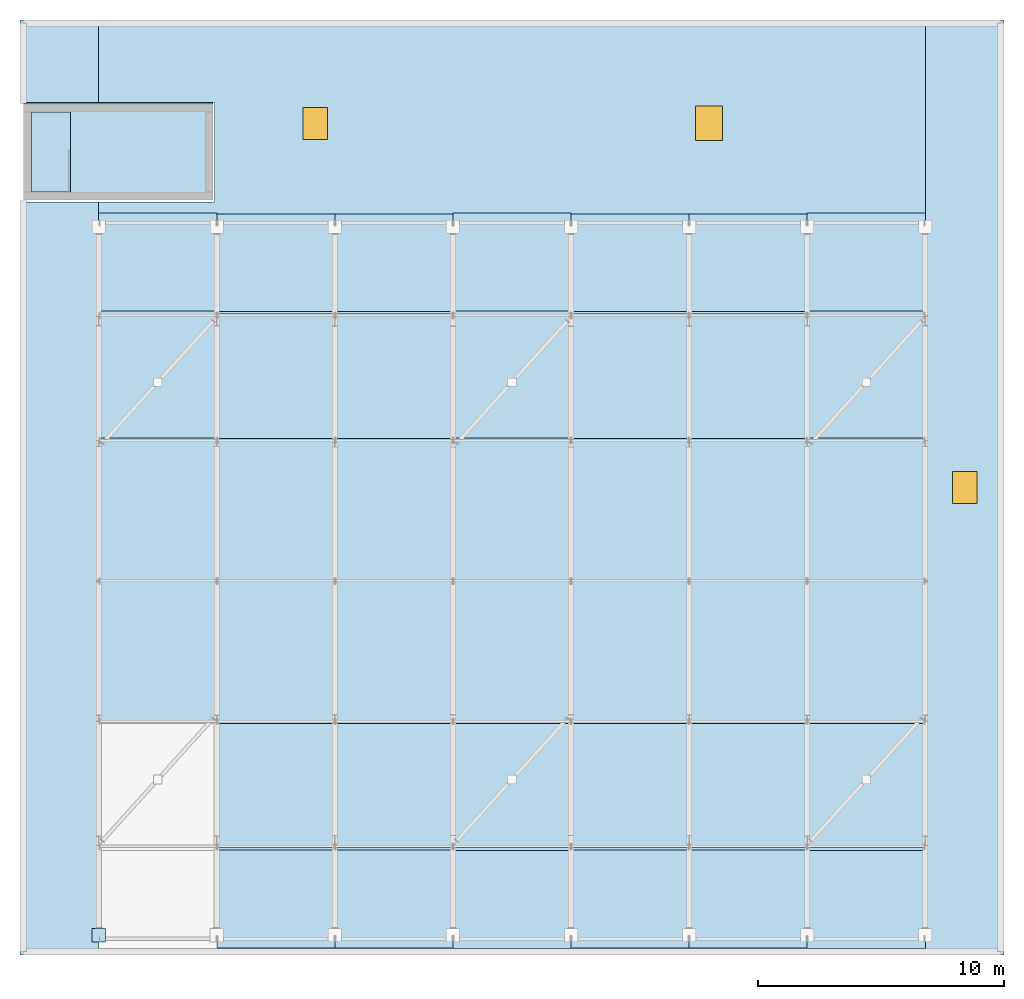
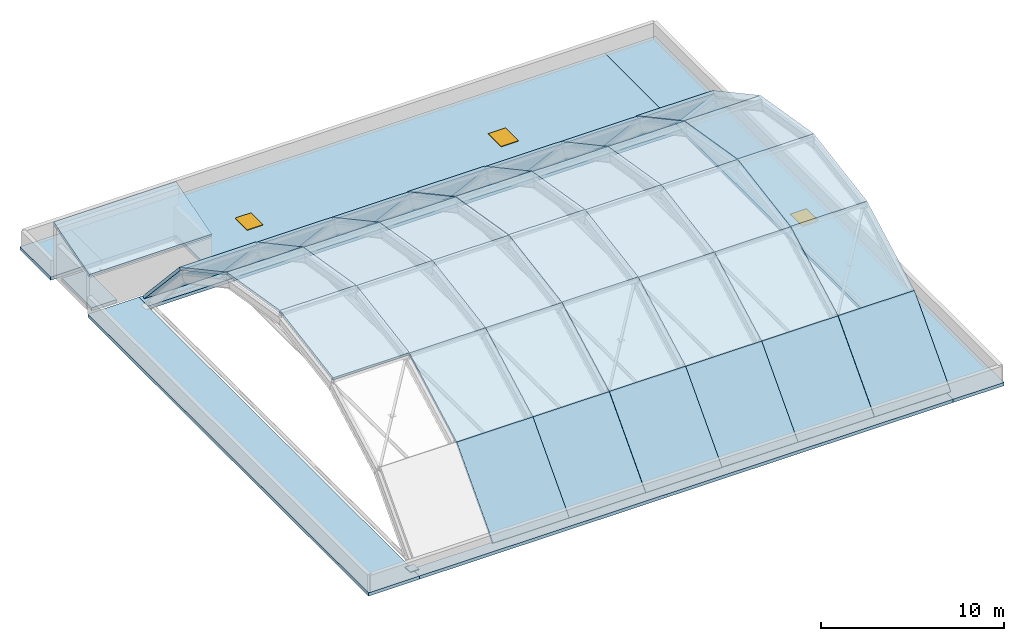
# One storey, part 2 of 10: 47 slabs, 3 doors, 1 plate, 3 openings, 1 element without a shape of its own.
"""IFC4 building model written with IfcOpenShell, lengths in metres."""

from ifc_helpers import new_model, si_unit, direction, frame, origin, origin_2d, place, context, subcontext, project, spatial, polyline, rectangle, outline, extrude, material, layer, layer_set, type_object, element, fill, aggregate, save


model = new_model("IFC4")

# Units and contexts
model_context = context("Model", 3, precision=1e-05, world=origin(), true_north=direction((0.0, 1.0)))
body_context = subcontext(model_context, "Body", "Model", "MODEL_VIEW")
ifc_project = project(units=[si_unit("LENGTHUNIT", "METRE"), si_unit("AREAUNIT", "SQUARE_METRE"), si_unit("VOLUMEUNIT", "CUBIC_METRE"), si_unit("PLANEANGLEUNIT", "RADIAN"), si_unit("MASSUNIT", "GRAM", prefix="KILO")], contexts=[model_context])

# Site, building, storey
site_placement = place(None, origin())
site = spatial("IfcSite", under=ifc_project, at=site_placement, CompositionType="ELEMENT")
building_placement = place(site_placement, origin())
building = spatial("IfcBuilding", under=site, at=building_placement, Name="Zantavel Square City Hall", CompositionType="ELEMENT")
storey_placement = place(building_placement, frame((0.0, 0.0, 28.5)))
storey = spatial("IfcBuildingStorey", under=building, at=storey_placement, Name="RF", CompositionType="ELEMENT", Elevation=28.5)

# Roof, slabs
ifc_material_1 = material(Name="Steel ASTM A992 Grade 50", Category="steel")
roof_type = type_object("IfcRoofType", Name="Council Barrel Vault Steel Roof Assembly", PredefinedType="BARREL_ROOF", material=ifc_material_1)
roof_placement = place(storey_placement, origin())
roof = element("IfcRoof", 1, at=roof_placement, inside=storey, type_object=roof_type, Name="Council Chamber Exposed Steel Barrel-Vault Roof", PredefinedType="BARREL_ROOF")
ifc_material_2 = material(Name="Tempered safety glass low-E double glazing", Category="glass")
ifc_layer_1 = layer(ifc_material_2, 0.14990234375, Name="Tempered safety glass low-E double glazing")
ifc_layer_set_1 = layer_set([ifc_layer_1], Name="Tempered safety glass low-E double glazing")
slab_type_1 = type_object("IfcSlabType", Name="Barrel Vault Glazed Roof Facet 150mm", PredefinedType="ROOF", material=ifc_layer_set_1)
slab_1_placement = place(storey_placement, frame((72.0, 30.67724609375, 0.3408203125), z_axis=(0.0, -0.736160597855, 0.676806895773), x_axis=(1.0, 0.0, 0.0)))
slab_1 = element("IfcSlab", 2, at=slab_1_placement, type_object=slab_type_1, Name="Barrel Vault Bay 2 Roof Facet 1", PredefinedType="ROOF", context=body_context, shape_type="SweptSolid", body=[
    extrude(outline(polyline([(0.0, 0.0), (4.800048828125, 0.0), (4.800048828125, 5.86970415758118), (0.0, 5.86970415758118), (0.0, 0.0)])), origin(), (0.0, 0.0, -1.0), 0.14990234375),
])
slab_2_placement = place(storey_placement, frame((72.0, 34.64990234375, 4.661865234375), z_axis=(0.0, -0.476273768485, 0.879297047336), x_axis=(1.0, 0.0, 0.0)))
slab_2 = element("IfcSlab", 3, at=slab_2_placement, type_object=slab_type_1, Name="Barrel Vault Bay 2 Roof Facet 2", PredefinedType="ROOF", context=body_context, shape_type="SweptSolid", body=[
    extrude(outline(polyline([(0.0, 0.0), (4.800048828125, 0.0), (4.800048828125, 5.869334700385841), (0.0, 5.869334700385841), (0.0, 0.0)])), origin(), (0.0, 0.0, -1.0), 0.14990234375),
])
slab_3_placement = place(storey_placement, frame((72.0, 39.810791015625, 7.457275390625), z_axis=(0.0, -0.164715999781, 0.98634103606), x_axis=(1.0, 0.0, 0.0)))
slab_3 = element("IfcSlab", 4, at=slab_3_placement, type_object=slab_type_1, Name="Barrel Vault Bay 2 Roof Facet 3", PredefinedType="ROOF", context=body_context, shape_type="SweptSolid", body=[
    extrude(outline(polyline([(0.0, 0.0), (4.800048828125, 0.0), (4.800048828125, 5.869477623834552), (0.0, 5.869477623834552), (0.0, 0.0)])), origin(), (0.0, 0.0, -1.0), 0.14990234375),
])
slab_4_placement = place(storey_placement, frame((72.0, 45.60009765625, 8.424072265625), z_axis=(0.0, 0.164715999781, 0.98634103606), x_axis=(1.0, 0.0, 0.0)))
slab_4 = element("IfcSlab", 5, at=slab_4_placement, type_object=slab_type_1, Name="Barrel Vault Bay 2 Roof Facet 4", PredefinedType="ROOF", context=body_context, shape_type="SweptSolid", body=[
    extrude(outline(polyline([(0.0, 0.0), (4.800048828125, 0.0), (4.800048828125, 5.869477623834552), (0.0, 5.869477623834552), (0.0, 0.0)])), origin(), (0.0, 0.0, -1.0), 0.14990234375),
])
slab_5_placement = place(storey_placement, frame((72.0, 51.389404296875, 7.457275390625), z_axis=(0.0, 0.476273768485, 0.879297047336), x_axis=(1.0, 0.0, 0.0)))
slab_5 = element("IfcSlab", 6, at=slab_5_placement, type_object=slab_type_1, Name="Barrel Vault Bay 2 Roof Facet 5", PredefinedType="ROOF", context=body_context, shape_type="SweptSolid", body=[
    extrude(outline(polyline([(0.0, 0.0), (4.800048828125, 0.0), (4.800048828125, 5.869334700385841), (0.0, 5.869334700385841), (0.0, 0.0)])), origin(), (0.0, 0.0, -1.0), 0.14990234375),
])
slab_6_placement = place(storey_placement, frame((72.0, 56.55029296875, 4.661865234375), z_axis=(0.0, 0.736181321501, 0.67678435404), x_axis=(1.0, 0.0, 0.0)))
slab_6 = element("IfcSlab", 7, at=slab_6_placement, type_object=slab_type_1, Name="Barrel Vault Bay 2 Roof Facet 6", PredefinedType="ROOF", context=body_context, shape_type="SweptSolid", body=[
    extrude(outline(polyline([(0.0, 0.0), (4.800048828125, 0.0), (4.800048828125, 5.869538924274279), (0.0, 5.869538924274279), (0.0, 0.0)])), origin(), (0.0, 0.0, -1.0), 0.14990234375),
])
slab_7_placement = place(storey_placement, frame((76.800048828125, 30.67724609375, 0.3408203125), z_axis=(0.0, -0.736160597855, 0.676806895773), x_axis=(1.0, 0.0, 0.0)))
slab_7 = element("IfcSlab", 8, at=slab_7_placement, type_object=slab_type_1, Name="Barrel Vault Bay 3 Roof Facet 1", PredefinedType="ROOF", context=body_context, shape_type="SweptSolid", body=[
    extrude(outline(polyline([(0.0, 0.0), (4.800048828125, 0.0), (4.800048828125, 5.86970415758118), (0.0, 5.86970415758118), (0.0, 0.0)])), origin(), (0.0, 0.0, -1.0), 0.14990234375),
])
slab_8_placement = place(storey_placement, frame((76.800048828125, 34.64990234375, 4.661865234375), z_axis=(0.0, -0.476273768485, 0.879297047336), x_axis=(1.0, 0.0, 0.0)))
slab_8 = element("IfcSlab", 9, at=slab_8_placement, type_object=slab_type_1, Name="Barrel Vault Bay 3 Roof Facet 2", PredefinedType="ROOF", context=body_context, shape_type="SweptSolid", body=[
    extrude(outline(polyline([(0.0, 0.0), (4.800048828125, 0.0), (4.800048828125, 5.869334700385841), (0.0, 5.869334700385841), (0.0, 0.0)])), origin(), (0.0, 0.0, -1.0), 0.14990234375),
])
slab_9_placement = place(storey_placement, frame((76.800048828125, 39.810791015625, 7.457275390625), z_axis=(0.0, -0.164715999781, 0.98634103606), x_axis=(1.0, 0.0, 0.0)))
slab_9 = element("IfcSlab", 10, at=slab_9_placement, type_object=slab_type_1, Name="Barrel Vault Bay 3 Roof Facet 3", PredefinedType="ROOF", context=body_context, shape_type="SweptSolid", body=[
    extrude(outline(polyline([(0.0, 0.0), (4.800048828125, 0.0), (4.800048828125, 5.869477623834552), (0.0, 5.869477623834552), (0.0, 0.0)])), origin(), (0.0, 0.0, -1.0), 0.14990234375),
])
slab_10_placement = place(storey_placement, frame((76.800048828125, 45.60009765625, 8.424072265625), z_axis=(0.0, 0.164715999781, 0.98634103606), x_axis=(1.0, 0.0, 0.0)))
slab_10 = element("IfcSlab", 11, at=slab_10_placement, type_object=slab_type_1, Name="Barrel Vault Bay 3 Roof Facet 4", PredefinedType="ROOF", context=body_context, shape_type="SweptSolid", body=[
    extrude(outline(polyline([(0.0, 0.0), (4.800048828125, 0.0), (4.800048828125, 5.869477623834552), (0.0, 5.869477623834552), (0.0, 0.0)])), origin(), (0.0, 0.0, -1.0), 0.14990234375),
])
slab_11_placement = place(storey_placement, frame((76.800048828125, 51.389404296875, 7.457275390625), z_axis=(0.0, 0.476273768485, 0.879297047336), x_axis=(1.0, 0.0, 0.0)))
slab_11 = element("IfcSlab", 12, at=slab_11_placement, type_object=slab_type_1, Name="Barrel Vault Bay 3 Roof Facet 5", PredefinedType="ROOF", context=body_context, shape_type="SweptSolid", body=[
    extrude(outline(polyline([(0.0, 0.0), (4.800048828125, 0.0), (4.800048828125, 5.869334700385841), (0.0, 5.869334700385841), (0.0, 0.0)])), origin(), (0.0, 0.0, -1.0), 0.14990234375),
])
slab_12_placement = place(storey_placement, frame((76.800048828125, 56.55029296875, 4.661865234375), z_axis=(0.0, 0.736181321501, 0.67678435404), x_axis=(1.0, 0.0, 0.0)))
slab_12 = element("IfcSlab", 13, at=slab_12_placement, type_object=slab_type_1, Name="Barrel Vault Bay 3 Roof Facet 6", PredefinedType="ROOF", context=body_context, shape_type="SweptSolid", body=[
    extrude(outline(polyline([(0.0, 0.0), (4.800048828125, 0.0), (4.800048828125, 5.869538924274279), (0.0, 5.869538924274279), (0.0, 0.0)])), origin(), (0.0, 0.0, -1.0), 0.14990234375),
])
slab_13_placement = place(storey_placement, frame((86.39990234375, 30.67724609375, 0.3408203125), z_axis=(0.0, -0.736160597855, 0.676806895773), x_axis=(1.0, 0.0, 0.0)))
slab_13 = element("IfcSlab", 14, at=slab_13_placement, type_object=slab_type_1, Name="Barrel Vault Bay 5 Roof Facet 1", PredefinedType="ROOF", context=body_context, shape_type="SweptSolid", body=[
    extrude(outline(polyline([(0.0, 0.0), (4.800048828125, 0.0), (4.800048828125, 5.86970415758118), (0.0, 5.86970415758118), (0.0, 0.0)])), origin(), (0.0, 0.0, -1.0), 0.14990234375),
])
slab_14_placement = place(storey_placement, frame((86.39990234375, 34.64990234375, 4.661865234375), z_axis=(0.0, -0.476273768485, 0.879297047336), x_axis=(1.0, 0.0, 0.0)))
slab_14 = element("IfcSlab", 15, at=slab_14_placement, type_object=slab_type_1, Name="Barrel Vault Bay 5 Roof Facet 2", PredefinedType="ROOF", context=body_context, shape_type="SweptSolid", body=[
    extrude(outline(polyline([(0.0, 0.0), (4.800048828125, 0.0), (4.800048828125, 5.869334700385841), (0.0, 5.869334700385841), (0.0, 0.0)])), origin(), (0.0, 0.0, -1.0), 0.14990234375),
])
slab_15_placement = place(storey_placement, frame((86.39990234375, 39.810791015625, 7.457275390625), z_axis=(0.0, -0.164715999781, 0.98634103606), x_axis=(1.0, 0.0, 0.0)))
slab_15 = element("IfcSlab", 16, at=slab_15_placement, type_object=slab_type_1, Name="Barrel Vault Bay 5 Roof Facet 3", PredefinedType="ROOF", context=body_context, shape_type="SweptSolid", body=[
    extrude(outline(polyline([(0.0, 0.0), (4.800048828125, 0.0), (4.800048828125, 5.869477623834552), (0.0, 5.869477623834552), (0.0, 0.0)])), origin(), (0.0, 0.0, -1.0), 0.14990234375),
])
slab_16_placement = place(storey_placement, frame((86.39990234375, 45.60009765625, 8.424072265625), z_axis=(0.0, 0.164715999781, 0.98634103606), x_axis=(1.0, 0.0, 0.0)))
slab_16 = element("IfcSlab", 17, at=slab_16_placement, type_object=slab_type_1, Name="Barrel Vault Bay 5 Roof Facet 4", PredefinedType="ROOF", context=body_context, shape_type="SweptSolid", body=[
    extrude(outline(polyline([(0.0, 0.0), (4.800048828125, 0.0), (4.800048828125, 5.869477623834552), (0.0, 5.869477623834552), (0.0, 0.0)])), origin(), (0.0, 0.0, -1.0), 0.14990234375),
])
slab_17_placement = place(storey_placement, frame((86.39990234375, 51.389404296875, 7.457275390625), z_axis=(0.0, 0.476273768485, 0.879297047336), x_axis=(1.0, 0.0, 0.0)))
slab_17 = element("IfcSlab", 18, at=slab_17_placement, type_object=slab_type_1, Name="Barrel Vault Bay 5 Roof Facet 5", PredefinedType="ROOF", context=body_context, shape_type="SweptSolid", body=[
    extrude(outline(polyline([(0.0, 0.0), (4.800048828125, 0.0), (4.800048828125, 5.869334700385841), (0.0, 5.869334700385841), (0.0, 0.0)])), origin(), (0.0, 0.0, -1.0), 0.14990234375),
])
slab_18_placement = place(storey_placement, frame((86.39990234375, 56.55029296875, 4.661865234375), z_axis=(0.0, 0.736181321501, 0.67678435404), x_axis=(1.0, 0.0, 0.0)))
slab_18 = element("IfcSlab", 19, at=slab_18_placement, type_object=slab_type_1, Name="Barrel Vault Bay 5 Roof Facet 6", PredefinedType="ROOF", context=body_context, shape_type="SweptSolid", body=[
    extrude(outline(polyline([(0.0, 0.0), (4.800048828125, 0.0), (4.800048828125, 5.869538924274279), (0.0, 5.869538924274279), (0.0, 0.0)])), origin(), (0.0, 0.0, -1.0), 0.14990234375),
])
slab_19_placement = place(storey_placement, frame((91.199951171875, 30.67724609375, 0.3408203125), z_axis=(0.0, -0.736160597855, 0.676806895773), x_axis=(1.0, 0.0, 0.0)))
slab_19 = element("IfcSlab", 20, at=slab_19_placement, type_object=slab_type_1, Name="Barrel Vault Bay 6 Roof Facet 1", PredefinedType="ROOF", context=body_context, shape_type="SweptSolid", body=[
    extrude(outline(polyline([(0.0, 0.0), (4.800048828125, 0.0), (4.800048828125, 5.86970415758118), (0.0, 5.86970415758118), (0.0, 0.0)])), origin(), (0.0, 0.0, -1.0), 0.14990234375),
])
slab_20_placement = place(storey_placement, frame((91.199951171875, 34.64990234375, 4.661865234375), z_axis=(0.0, -0.476273768485, 0.879297047336), x_axis=(1.0, 0.0, 0.0)))
slab_20 = element("IfcSlab", 21, at=slab_20_placement, type_object=slab_type_1, Name="Barrel Vault Bay 6 Roof Facet 2", PredefinedType="ROOF", context=body_context, shape_type="SweptSolid", body=[
    extrude(outline(polyline([(0.0, 0.0), (4.800048828125, 0.0), (4.800048828125, 5.869334700385841), (0.0, 5.869334700385841), (0.0, 0.0)])), origin(), (0.0, 0.0, -1.0), 0.14990234375),
])
slab_21_placement = place(storey_placement, frame((91.199951171875, 39.810791015625, 7.457275390625), z_axis=(0.0, -0.164715999781, 0.98634103606), x_axis=(1.0, 0.0, 0.0)))
slab_21 = element("IfcSlab", 22, at=slab_21_placement, type_object=slab_type_1, Name="Barrel Vault Bay 6 Roof Facet 3", PredefinedType="ROOF", context=body_context, shape_type="SweptSolid", body=[
    extrude(outline(polyline([(0.0, 0.0), (4.800048828125, 0.0), (4.800048828125, 5.869477623834552), (0.0, 5.869477623834552), (0.0, 0.0)])), origin(), (0.0, 0.0, -1.0), 0.14990234375),
])
slab_22_placement = place(storey_placement, frame((91.199951171875, 45.60009765625, 8.424072265625), z_axis=(0.0, 0.164715999781, 0.98634103606), x_axis=(1.0, 0.0, 0.0)))
slab_22 = element("IfcSlab", 23, at=slab_22_placement, type_object=slab_type_1, Name="Barrel Vault Bay 6 Roof Facet 4", PredefinedType="ROOF", context=body_context, shape_type="SweptSolid", body=[
    extrude(outline(polyline([(0.0, 0.0), (4.800048828125, 0.0), (4.800048828125, 5.869477623834552), (0.0, 5.869477623834552), (0.0, 0.0)])), origin(), (0.0, 0.0, -1.0), 0.14990234375),
])
slab_23_placement = place(storey_placement, frame((91.199951171875, 51.389404296875, 7.457275390625), z_axis=(0.0, 0.476273768485, 0.879297047336), x_axis=(1.0, 0.0, 0.0)))
slab_23 = element("IfcSlab", 24, at=slab_23_placement, type_object=slab_type_1, Name="Barrel Vault Bay 6 Roof Facet 5", PredefinedType="ROOF", context=body_context, shape_type="SweptSolid", body=[
    extrude(outline(polyline([(0.0, 0.0), (4.800048828125, 0.0), (4.800048828125, 5.869334700385841), (0.0, 5.869334700385841), (0.0, 0.0)])), origin(), (0.0, 0.0, -1.0), 0.14990234375),
])
slab_24_placement = place(storey_placement, frame((91.199951171875, 56.55029296875, 4.661865234375), z_axis=(0.0, 0.736181321501, 0.67678435404), x_axis=(1.0, 0.0, 0.0)))
slab_24 = element("IfcSlab", 25, at=slab_24_placement, type_object=slab_type_1, Name="Barrel Vault Bay 6 Roof Facet 6", PredefinedType="ROOF", context=body_context, shape_type="SweptSolid", body=[
    extrude(outline(polyline([(0.0, 0.0), (4.800048828125, 0.0), (4.800048828125, 5.869538924274279), (0.0, 5.869538924274279), (0.0, 0.0)])), origin(), (0.0, 0.0, -1.0), 0.14990234375),
])

# Slabs
ifc_material_3 = material(Name="Concrete C35/45", Category="concrete")
ifc_layer_2 = layer(ifc_material_3, 0.2099609375, Name="Concrete C35/45")
ifc_layer_set_2 = layer_set([ifc_layer_2], Name="Concrete C35/45")
slab_type_2 = type_object("IfcSlabType", Name="Core Stair Half-Landing Slab C35/45", PredefinedType="LANDING", material=ifc_layer_set_2)
slab_25_placement = place(storey_placement, frame((0.0, 0.0, -0.2099609375)))
element("IfcSlab", 26, at=slab_25_placement, inside=storey, type_object=slab_type_2, Name="RF Stair ST5 Enclosed Arrival Landing Slab", PredefinedType="LANDING", context=body_context, shape_type="SweptSolid", body=[
    extrude(outline(polyline([(64.469970703125, 61.39990234375), (66.050048828125, 61.39990234375), (66.050048828125, 64.669921875), (64.469970703125, 64.669921875), (64.469970703125, 61.39990234375)])), origin(), (0.0, 0.0, 1.0), 0.2099609375),
])
ifc_layer_3 = layer(ifc_material_3, 0.219970703125, Name="Concrete C35/45")
ifc_layer_set_3 = layer_set([ifc_layer_3], Name="Concrete C35/45")
slab_type_3 = type_object("IfcSlabType", Name="Insulated Flat Roof Slab 220mm C35/45", PredefinedType="ROOF", material=ifc_layer_set_3)
slab_26_placement = place(storey_placement, frame((0.0, 0.0, -0.219970703125)))
element("IfcSlab", 27, at=slab_26_placement, inside=storey, type_object=slab_type_3, Name="RF Perimeter Roof Slab SLB-RF-WEST", PredefinedType="ROOF", context=body_context, shape_type="SweptSolid", body=[
    extrude(outline(polyline([(67.199951171875, 30.39990234375), (64.0, 30.39990234375), (64.0, 61.0), (67.199951171875, 61.0), (67.199951171875, 30.39990234375)])), origin(), (0.0, 0.0, 1.0), 0.219970703125),
])
slab_27_placement = place(storey_placement, frame((0.0, 0.0, -0.219970703125)))
element("IfcSlab", 28, at=slab_27_placement, inside=storey, type_object=slab_type_3, Name="RF Perimeter Roof Slab SLB-RF-WEST-P2", PredefinedType="ROOF", context=body_context, shape_type="SweptSolid", body=[
    extrude(outline(polyline([(64.0, 68.39990234375), (67.199951171875, 68.39990234375), (67.199951171875, 65.050048828125), (64.0, 65.050048828125), (64.0, 68.39990234375)])), origin(), (0.0, 0.0, 1.0), 0.219970703125),
])

# Slab, opening, door
slab_28_placement = place(storey_placement, frame((0.0, 0.0, -0.219970703125)))
slab_28 = element("IfcSlab", 29, at=slab_28_placement, inside=storey, type_object=slab_type_3, Name="RF Perimeter Roof Slab SLB-RF-EAST", PredefinedType="ROOF", context=body_context, shape_type="SweptSolid", body=[
    extrude(outline(polyline([(100.800048828125, 30.39990234375), (100.800048828125, 68.39990234375), (104.0, 68.39990234375), (104.0, 30.39990234375), (100.800048828125, 30.39990234375)])), origin(), (0.0, 0.0, 1.0), 0.219970703125),
])
opening_1_placement = place(slab_28_placement, frame((102.39990234375, 49.39990234375, 0.0)))
opening_1 = element("IfcOpeningElement", 30, at=opening_1_placement, cuts=slab_28, Name="Opening RH-03", PredefinedType="OPENING", context=body_context, shape_type="SweptSolid", body=[
    extrude(rectangle(XDim=1.0, YDim=1.300048828125, at=origin_2d()), frame((0.0, 0.0, -0.02001953125)), (0.0, 0.0, 1.0), 0.284912109375),
])
ifc_material_4 = material(Name="Anodised aluminium 6063-T6", Category="aluminium")
door_type_1 = type_object("IfcDoorType", Name="Insulated Roof Maintenance Hatch 1000x1300", OperationType="NOTDEFINED", PredefinedType="TRAPDOOR", material=ifc_material_4)
door_1_placement = place(opening_1_placement, frame((0.0, 0.0, 0.19482421875)))
door_1 = element("IfcDoor", 31, at=door_1_placement, inside=storey, type_object=door_type_1, Name="RF Roof Maintenance Hatch RH-03", OperationType="SINGLE_SWING_LEFT", OverallHeight=1.300048828125, OverallWidth=1.0, PredefinedType="TRAPDOOR", context=body_context, shape_type="SweptSolid", body=[
    extrude(rectangle(XDim=1.0, YDim=1.300048828125, at=origin_2d()), origin(), (0.0, 0.0, 1.0), 0.050048828125),
])
fill(opening_1, door_1)

# Slab, openings, doors
slab_29_placement = place(storey_placement, frame((0.0, 0.0, -0.219970703125)))
slab_29 = element("IfcSlab", 32, at=slab_29_placement, inside=storey, type_object=slab_type_3, Name="RF Perimeter Roof Slab SLB-RF-NORTH", PredefinedType="ROOF", context=body_context, shape_type="SweptSolid", body=[
    extrude(outline(polyline([(67.199951171875, 68.39990234375), (100.800048828125, 68.39990234375), (100.800048828125, 60.0), (67.199951171875, 60.0), (67.199951171875, 61.0), (71.89990234375, 61.0), (71.89990234375, 65.050048828125), (67.199951171875, 65.050048828125), (67.199951171875, 68.39990234375)])), origin(), (0.0, 0.0, 1.0), 0.219970703125),
])
opening_2_placement = place(slab_29_placement, frame((76.0, 64.199951171875, 0.0)))
opening_2 = element("IfcOpeningElement", 33, at=opening_2_placement, cuts=slab_29, Name="Opening RH-01", PredefinedType="OPENING", context=body_context, shape_type="SweptSolid", body=[
    extrude(rectangle(XDim=1.0, YDim=1.300048828125, at=origin_2d()), frame((0.0, 0.0, -0.02001953125)), (0.0, 0.0, 1.0), 0.284912109375),
])
opening_3_placement = place(slab_29_placement, frame((92.0, 64.199951171875, 0.0)))
opening_3 = element("IfcOpeningElement", 34, at=opening_3_placement, cuts=slab_29, Name="Opening RH-02", PredefinedType="OPENING", context=body_context, shape_type="SweptSolid", body=[
    extrude(rectangle(XDim=1.10009765625, YDim=1.39990234375, at=origin_2d()), frame((0.0, 0.0, -0.02001953125)), (0.0, 0.0, 1.0), 0.284912109375),
])
door_2_placement = place(opening_2_placement, frame((0.0, 0.0, 0.19482421875)))
door_2 = element("IfcDoor", 35, at=door_2_placement, inside=storey, type_object=door_type_1, Name="RF Roof Maintenance Hatch RH-01", OperationType="SINGLE_SWING_LEFT", OverallHeight=1.300048828125, OverallWidth=1.0, PredefinedType="TRAPDOOR", context=body_context, shape_type="SweptSolid", body=[
    extrude(rectangle(XDim=1.0, YDim=1.300048828125, at=origin_2d()), origin(), (0.0, 0.0, 1.0), 0.050048828125),
])
fill(opening_2, door_2)
door_type_2 = type_object("IfcDoorType", Name="Smoke Vent & Roof Inspection Hatch 1100x1400", OperationType="NOTDEFINED", PredefinedType="TRAPDOOR", material=ifc_material_4)
door_3_placement = place(opening_3_placement, frame((0.0, 0.0, 0.19482421875)))
door_3 = element("IfcDoor", 36, at=door_3_placement, inside=storey, type_object=door_type_2, Name="RF Roof Maintenance Hatch RH-02", OperationType="SINGLE_SWING_LEFT", OverallHeight=1.39990234375, OverallWidth=1.10009765625, PredefinedType="TRAPDOOR", context=body_context, shape_type="SweptSolid", body=[
    extrude(rectangle(XDim=1.10009765625, YDim=1.39990234375, at=origin_2d()), origin(), (0.0, 0.0, 1.0), 0.050048828125),
])
fill(opening_3, door_3)

# Slab
slab_30_placement = place(storey_placement, frame((0.0, 0.0, -0.219970703125)))
element("IfcSlab", 37, at=slab_30_placement, inside=storey, type_object=slab_type_3, Name="RF Perimeter Roof Slab SLB-RF-SOUTH", PredefinedType="ROOF", context=body_context, shape_type="SweptSolid", body=[
    extrude(outline(polyline([(67.199951171875, 30.39990234375), (67.199951171875, 31.199951171875), (100.800048828125, 31.199951171875), (100.800048828125, 30.39990234375), (67.199951171875, 30.39990234375)])), origin(), (0.0, 0.0, 1.0), 0.219970703125),
])

ifc_layer_4 = layer(ifc_material_3, 0.179931640625, Name="Concrete C35/45")
ifc_layer_set_4 = layer_set([ifc_layer_4], Name="Concrete C35/45")
slab_type_4 = type_object("IfcSlabType", Name="Mansard Sloped Roof Deck 180mm C35/45", PredefinedType="ROOF", material=ifc_layer_set_4)
slab_31_placement = place(storey_placement, frame((67.199951171875, 39.80078125, 7.486083984375), z_axis=(0.0, -0.164722185406, 0.986340003059), x_axis=(1.0, 0.0, 0.0)))
slab_31 = element("IfcSlab", 38, at=slab_31_placement, type_object=slab_type_4, Name="Barrel Vault Bay 1 Roof Facet 3", PredefinedType="ROOF", context=body_context, shape_type="SweptSolid", body=[
    extrude(outline(polyline([(0.0, 0.0), (4.800048828125, 0.0), (4.800048828125, 5.879632163617391), (0.0, 5.879632163617391), (0.0, 0.0)])), origin(), (0.0, 0.0, -1.0), 0.179931640625),
])

slab_32_placement = place(storey_placement, frame((67.199951171875, 45.60009765625, 8.45458984375), z_axis=(0.0, 0.164728932025, 0.986338876327), x_axis=(1.0, 0.0, 0.0)))
slab_32 = element("IfcSlab", 39, at=slab_32_placement, type_object=slab_type_4, Name="Barrel Vault Bay 1 Roof Facet 4", PredefinedType="ROOF", context=body_context, shape_type="SweptSolid", body=[
    extrude(outline(polyline([(0.0, 0.0), (4.800048828125, 0.0), (4.800048828125, 5.879391358090119), (0.0, 5.879391358090119), (0.0, 0.0)])), origin(), (0.0, 0.0, -1.0), 0.179931640625),
])

slab_33_placement = place(storey_placement, frame((67.199951171875, 51.399169921875, 7.486083984375), z_axis=(0.0, 0.476289837091, 0.879288343539), x_axis=(1.0, 0.0, 0.0)))
slab_33 = element("IfcSlab", 40, at=slab_33_placement, type_object=slab_type_4, Name="Barrel Vault Bay 1 Roof Facet 5", PredefinedType="ROOF", context=body_context, shape_type="SweptSolid", body=[
    extrude(outline(polyline([(0.0, 0.0), (4.800048828125, 0.0), (4.800048828125, 5.879388453582848), (0.0, 5.879388453582848), (0.0, 0.0)])), origin(), (0.0, 0.0, -1.0), 0.179931640625),
])

slab_34_placement = place(storey_placement, frame((67.199951171875, 56.56884765625, 4.685791015625), z_axis=(0.0, 0.736153601627, 0.676814505467), x_axis=(1.0, 0.0, 0.0)))
slab_34 = element("IfcSlab", 41, at=slab_34_placement, type_object=slab_type_4, Name="Barrel Vault Bay 1 Roof Facet 6", PredefinedType="ROOF", context=body_context, shape_type="SweptSolid", body=[
    extrude(outline(polyline([(0.0, 0.0), (4.800048828125, 0.0), (4.800048828125, 5.879377606021194), (0.0, 5.879377606021194), (0.0, 0.0)])), origin(), (0.0, 0.0, -1.0), 0.179931640625),
])

slab_35_placement = place(storey_placement, frame((81.60009765625, 30.65185546875, 0.357666015625), z_axis=(0.0, -0.736153601627, 0.676814505467), x_axis=(1.0, 0.0, 0.0)))
slab_35 = element("IfcSlab", 42, at=slab_35_placement, type_object=slab_type_4, Name="Barrel Vault Bay 4 Roof Facet 1", PredefinedType="ROOF", context=body_context, shape_type="SweptSolid", body=[
    extrude(outline(polyline([(0.0, 0.0), (4.7998046875, 0.0), (4.7998046875, 5.879377606021194), (0.0, 5.879377606021194), (0.0, 0.0)])), origin(), (0.0, 0.0, -1.0), 0.179931640625),
])

slab_36_placement = place(storey_placement, frame((81.60009765625, 34.631103515625, 4.685791015625), z_axis=(0.0, -0.476289837091, 0.879288343539), x_axis=(1.0, 0.0, 0.0)))
slab_36 = element("IfcSlab", 43, at=slab_36_placement, type_object=slab_type_4, Name="Barrel Vault Bay 4 Roof Facet 2", PredefinedType="ROOF", context=body_context, shape_type="SweptSolid", body=[
    extrude(outline(polyline([(0.0, 0.0), (4.7998046875, 0.0), (4.7998046875, 5.879388453582848), (0.0, 5.879388453582848), (0.0, 0.0)])), origin(), (0.0, 0.0, -1.0), 0.179931640625),
])

slab_37_placement = place(storey_placement, frame((81.60009765625, 39.80078125, 7.486083984375), z_axis=(0.0, -0.164722185406, 0.986340003059), x_axis=(1.0, 0.0, 0.0)))
slab_37 = element("IfcSlab", 44, at=slab_37_placement, type_object=slab_type_4, Name="Barrel Vault Bay 4 Roof Facet 3", PredefinedType="ROOF", context=body_context, shape_type="SweptSolid", body=[
    extrude(outline(polyline([(0.0, 0.0), (4.7998046875, 0.0), (4.7998046875, 5.879632163617391), (0.0, 5.879632163617391), (0.0, 0.0)])), origin(), (0.0, 0.0, -1.0), 0.179931640625),
])

slab_38_placement = place(storey_placement, frame((81.60009765625, 45.60009765625, 8.45458984375), z_axis=(0.0, 0.164728932025, 0.986338876327), x_axis=(1.0, 0.0, 0.0)))
slab_38 = element("IfcSlab", 45, at=slab_38_placement, type_object=slab_type_4, Name="Barrel Vault Bay 4 Roof Facet 4", PredefinedType="ROOF", context=body_context, shape_type="SweptSolid", body=[
    extrude(outline(polyline([(0.0, 0.0), (4.7998046875, 0.0), (4.7998046875, 5.879391358090119), (0.0, 5.879391358090119), (0.0, 0.0)])), origin(), (0.0, 0.0, -1.0), 0.179931640625),
])

slab_39_placement = place(storey_placement, frame((81.60009765625, 51.399169921875, 7.486083984375), z_axis=(0.0, 0.476289837091, 0.879288343539), x_axis=(1.0, 0.0, 0.0)))
slab_39 = element("IfcSlab", 46, at=slab_39_placement, type_object=slab_type_4, Name="Barrel Vault Bay 4 Roof Facet 5", PredefinedType="ROOF", context=body_context, shape_type="SweptSolid", body=[
    extrude(outline(polyline([(0.0, 0.0), (4.7998046875, 0.0), (4.7998046875, 5.879388453582848), (0.0, 5.879388453582848), (0.0, 0.0)])), origin(), (0.0, 0.0, -1.0), 0.179931640625),
])

slab_40_placement = place(storey_placement, frame((81.60009765625, 56.56884765625, 4.685791015625), z_axis=(0.0, 0.736153601627, 0.676814505467), x_axis=(1.0, 0.0, 0.0)))
slab_40 = element("IfcSlab", 47, at=slab_40_placement, type_object=slab_type_4, Name="Barrel Vault Bay 4 Roof Facet 6", PredefinedType="ROOF", context=body_context, shape_type="SweptSolid", body=[
    extrude(outline(polyline([(0.0, 0.0), (4.7998046875, 0.0), (4.7998046875, 5.879377606021194), (0.0, 5.879377606021194), (0.0, 0.0)])), origin(), (0.0, 0.0, -1.0), 0.179931640625),
])

slab_41_placement = place(storey_placement, frame((96.0, 30.65185546875, 0.357666015625), z_axis=(0.0, -0.736153601627, 0.676814505467), x_axis=(1.0, 0.0, 0.0)))
slab_41 = element("IfcSlab", 48, at=slab_41_placement, type_object=slab_type_4, Name="Barrel Vault Bay 7 Roof Facet 1", PredefinedType="ROOF", context=body_context, shape_type="SweptSolid", body=[
    extrude(outline(polyline([(0.0, 0.0), (4.800048828125, 0.0), (4.800048828125, 5.879377606021194), (0.0, 5.879377606021194), (0.0, 0.0)])), origin(), (0.0, 0.0, -1.0), 0.179931640625),
])

slab_42_placement = place(storey_placement, frame((96.0, 34.631103515625, 4.685791015625), z_axis=(0.0, -0.476289837091, 0.879288343539), x_axis=(1.0, 0.0, 0.0)))
slab_42 = element("IfcSlab", 49, at=slab_42_placement, type_object=slab_type_4, Name="Barrel Vault Bay 7 Roof Facet 2", PredefinedType="ROOF", context=body_context, shape_type="SweptSolid", body=[
    extrude(outline(polyline([(0.0, 0.0), (4.800048828125, 0.0), (4.800048828125, 5.879388453582848), (0.0, 5.879388453582848), (0.0, 0.0)])), origin(), (0.0, 0.0, -1.0), 0.179931640625),
])

slab_43_placement = place(storey_placement, frame((96.0, 39.80078125, 7.486083984375), z_axis=(0.0, -0.164722185406, 0.986340003059), x_axis=(1.0, 0.0, 0.0)))
slab_43 = element("IfcSlab", 50, at=slab_43_placement, type_object=slab_type_4, Name="Barrel Vault Bay 7 Roof Facet 3", PredefinedType="ROOF", context=body_context, shape_type="SweptSolid", body=[
    extrude(outline(polyline([(0.0, 0.0), (4.800048828125, 0.0), (4.800048828125, 5.879632163617391), (0.0, 5.879632163617391), (0.0, 0.0)])), origin(), (0.0, 0.0, -1.0), 0.179931640625),
])

slab_44_placement = place(storey_placement, frame((96.0, 45.60009765625, 8.45458984375), z_axis=(0.0, 0.164728932025, 0.986338876327), x_axis=(1.0, 0.0, 0.0)))
slab_44 = element("IfcSlab", 51, at=slab_44_placement, type_object=slab_type_4, Name="Barrel Vault Bay 7 Roof Facet 4", PredefinedType="ROOF", context=body_context, shape_type="SweptSolid", body=[
    extrude(outline(polyline([(0.0, 0.0), (4.800048828125, 0.0), (4.800048828125, 5.879391358090119), (0.0, 5.879391358090119), (0.0, 0.0)])), origin(), (0.0, 0.0, -1.0), 0.179931640625),
])

slab_45_placement = place(storey_placement, frame((96.0, 51.399169921875, 7.486083984375), z_axis=(0.0, 0.476289837091, 0.879288343539), x_axis=(1.0, 0.0, 0.0)))
slab_45 = element("IfcSlab", 52, at=slab_45_placement, type_object=slab_type_4, Name="Barrel Vault Bay 7 Roof Facet 5", PredefinedType="ROOF", context=body_context, shape_type="SweptSolid", body=[
    extrude(outline(polyline([(0.0, 0.0), (4.800048828125, 0.0), (4.800048828125, 5.879388453582848), (0.0, 5.879388453582848), (0.0, 0.0)])), origin(), (0.0, 0.0, -1.0), 0.179931640625),
])

slab_46_placement = place(storey_placement, frame((96.0, 56.56884765625, 4.685791015625), z_axis=(0.0, 0.736153601627, 0.676814505467), x_axis=(1.0, 0.0, 0.0)))
slab_46 = element("IfcSlab", 53, at=slab_46_placement, type_object=slab_type_4, Name="Barrel Vault Bay 7 Roof Facet 6", PredefinedType="ROOF", context=body_context, shape_type="SweptSolid", body=[
    extrude(outline(polyline([(0.0, 0.0), (4.800048828125, 0.0), (4.800048828125, 5.879377606021194), (0.0, 5.879377606021194), (0.0, 0.0)])), origin(), (0.0, 0.0, -1.0), 0.179931640625),
])

aggregate(roof, [slab_31, slab_32, slab_33, slab_34, slab_1, slab_2, slab_3, slab_4, slab_5, slab_6, slab_7, slab_8, slab_9, slab_10, slab_11, slab_12, slab_35, slab_36, slab_37, slab_38, slab_39, slab_40, slab_13, slab_14, slab_15, slab_16, slab_17, slab_18, slab_19, slab_20, slab_21, slab_22, slab_23, slab_24, slab_41, slab_42, slab_43, slab_44, slab_45, slab_46])

ifc_layer_5 = layer(ifc_material_3, 0.199951171875, Name="Concrete C35/45")
ifc_layer_set_5 = layer_set([ifc_layer_5], Name="Concrete C35/45")
slab_type_5 = type_object("IfcSlabType", Name="Pitched Stair Headhouse Roof Slab 200mm C35/45", PredefinedType="ROOF", material=ifc_layer_set_5)
slab_47_placement = place(storey_placement, frame((64.14990234375, 61.080078125, 2.52001953125), z_axis=(0.0, -0.279887203944, 0.96003289166), x_axis=(1.0, 0.0, 0.0)))
element("IfcSlab", 54, at=slab_47_placement, inside=storey, type_object=slab_type_5, Name="RF Stair ST5 Pitched Headhouse Roof Slab", PredefinedType="ROOF", context=body_context, shape_type="SweptSolid", body=[
    extrude(outline(polyline([(0.0, 0.0), (7.7001953125, 0.0), (7.7001953125, 4.072685574986329), (0.0, 4.072685574986329), (0.0, 0.0)])), origin(), (0.0, 0.0, -1.0), 0.199951171875),
])

# Plate
ifc_material_5 = material(Name="Steel ASTM A572 Grade 50", Category="steel")
ifc_layer_6 = layer(ifc_material_5, 0.0400390625, Name="Steel ASTM A572 Grade 50")
ifc_layer_set_6 = layer_set([ifc_layer_6], Name="Steel ASTM A572 Grade 50")
plate_type = type_object("IfcPlateType", Name="Vault Arch Base Shoe Plate 550x550x40", PredefinedType="SHEET", material=ifc_layer_set_6)
plate_placement = place(storey_placement, frame((67.199951171875, 31.199951171875, 0.0), z_axis=(0.0, 0.0, 1.0), x_axis=(1.0, 0.0, 0.0)))
element("IfcPlate", 55, at=plate_placement, inside=storey, type_object=plate_type, Name="Barrel Vault Rib 1 Base Shoe Plate 1", PredefinedType="SHEET", context=body_context, shape_type="SweptSolid", body=[
    extrude(rectangle(XDim=0.550048828125, YDim=0.550048828125, at=origin_2d()), origin(), (0.0, 0.0, 1.0), 0.0400390625),
])

save(model, "model.ifc")
